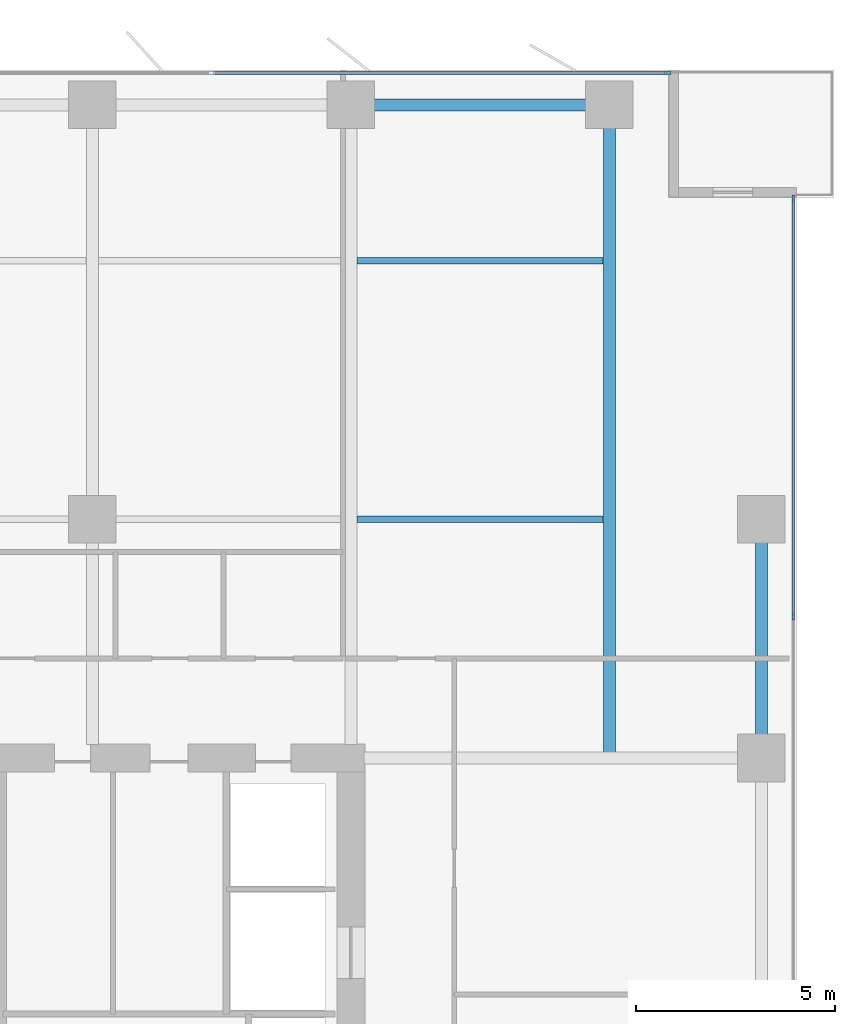
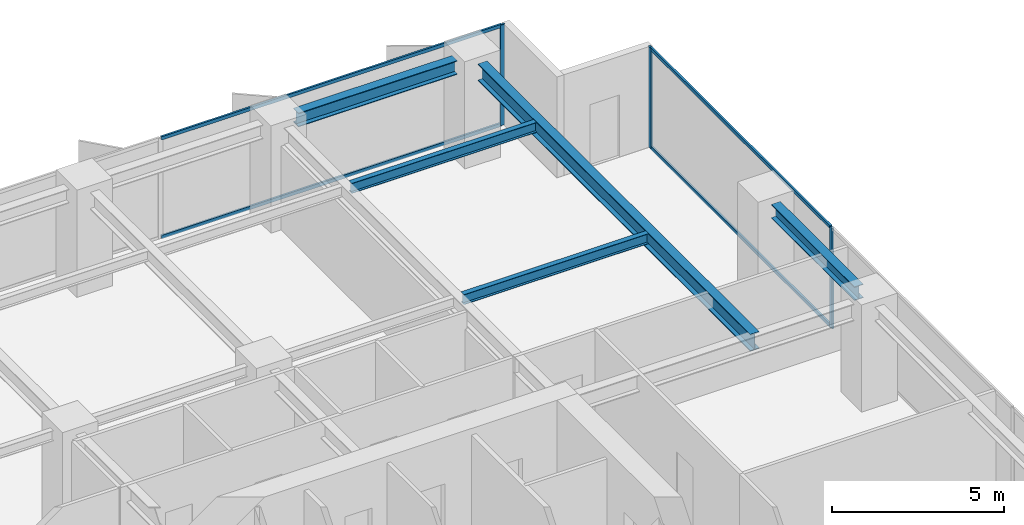
# One storey, part 11 of 20: 7 members, 5 beams, 2 elements without a shape of their own.
"""IFC4 building model written with IfcOpenShell, lengths in metres."""

from ifc_helpers import new_model, si_unit, direction, frame, origin, origin_2d, place, context, subcontext, project, spatial, rectangle, i_section, extrude, material, layer, layer_set, material_profile, profile_set, type_object, element, aggregate, save


model = new_model("IFC4")

# Units and contexts
model_context = context("Model", 3, precision=1e-05, world=origin(), true_north=direction((0.0, 1.0)))
body_context = subcontext(model_context, "Body", "Model", "MODEL_VIEW")
ifc_project = project(units=[si_unit("LENGTHUNIT", "METRE"), si_unit("AREAUNIT", "SQUARE_METRE"), si_unit("VOLUMEUNIT", "CUBIC_METRE"), si_unit("PLANEANGLEUNIT", "RADIAN"), si_unit("MASSUNIT", "GRAM", prefix="KILO")], contexts=[model_context])

# Site, building, storey
site_placement = place(None, origin())
site = spatial("IfcSite", under=ifc_project, at=site_placement, CompositionType="ELEMENT")
building_placement = place(site_placement, origin())
building = spatial("IfcBuilding", under=site, at=building_placement, Name="Putna Gate Headquarters", CompositionType="ELEMENT")
storey_placement = place(building_placement, frame((0.0, 0.0, 127.800048828125)))
storey = spatial("IfcBuildingStorey", under=building, at=storey_placement, Name="L31", CompositionType="ELEMENT", Elevation=127.800048828125)

# Beams
ifc_material_1 = material(Name="Steel S355J2", Category="steel")
ifc_material_profile_1 = material_profile(ifc_material_1, i_section(OverallWidth=0.300048828125, OverallDepth=0.60009765625, WebThickness=0.015380859375, FlangeThickness=0.030029296875, at=origin_2d()), Name="Steel S355J2")
ifc_profile_set_1 = profile_set([ifc_material_profile_1], Name="Steel S355J2")
beam_type_1 = type_object("IfcBeamType", Name="BM-GIRD-Z2-HEB600", PredefinedType="USERDEFINED", material=ifc_profile_set_1)
beam_1_placement = place(storey_placement, frame((71.5, 33.011962890625, 3.264892578125), z_axis=(0.0, 1.0, 0.0), x_axis=(-1.0, 0.0, 0.0)))
element("IfcBeam", 1, at=beam_1_placement, inside=storey, type_object=beam_type_1, Name="L31 North Primary Girder X71", ObjectType="GIRDER", PredefinedType="USERDEFINED", context=body_context, shape_type="SweptSolid", body=[
    extrude(i_section(OverallWidth=0.300048828125, OverallDepth=0.60009765625, WebThickness=0.015380859375, FlangeThickness=0.030029296875, at=origin_2d()), origin(), (0.0, 0.0, 1.0), 15.820068359375),
])
ifc_material_profile_2 = material_profile(ifc_material_1, i_section(OverallWidth=0.169921875, OverallDepth=0.360107421875, WebThickness=0.008056640625, FlangeThickness=0.0126953125, at=origin_2d()), Name="Steel S355J2")
ifc_profile_set_2 = profile_set([ifc_material_profile_2], Name="Steel S355J2")
beam_type_2 = type_object("IfcBeamType", Name="BM-SEC-Z2-IPE360", PredefinedType="BEAM", material=ifc_profile_set_2)
for number, where, z_axis, x_axis, name in (
    (2, (65.154052734375, 39.0, 3.385009765625), (1.0, 0.0, 0.0), (0.0, 1.0, 0.0), "L31 North Secondary Beam 10"),
    (3, (65.154052734375, 45.5, 3.385009765625), (1.0, 0.0, 0.0), (0.0, 1.0, 0.0), "L31 North Secondary Beam 10"),
):
    element("IfcBeam", number, at=place(storey_placement, frame(where, z_axis=z_axis, x_axis=x_axis)), inside=storey, type_object=beam_type_2, Name=name, PredefinedType="BEAM", context=body_context, shape_type="SweptSolid", body=[
        extrude(i_section(OverallWidth=0.169921875, OverallDepth=0.360107421875, WebThickness=0.008056640625, FlangeThickness=0.0126953125, at=origin_2d()), origin(), (0.0, 0.0, 1.0), 6.19189453125),
    ])
ifc_material_profile_3 = material_profile(ifc_material_1, i_section(OverallWidth=0.300048828125, OverallDepth=0.489990234375, WebThickness=0.011962890625, FlangeThickness=0.02294921875, at=origin_2d()), Name="Steel S355J2")
ifc_profile_set_3 = profile_set([ifc_material_profile_3], Name="Steel S355J2")
beam_type_3 = type_object("IfcBeamType", Name="BM-SPAN-Z2-HEA500", PredefinedType="SPANDREL", material=ifc_profile_set_3)
beam_2_placement = place(storey_placement, frame((65.587890625, 49.419921875, 3.320068359375), z_axis=(1.0, 0.0, 0.0), x_axis=(0.0, 1.0, 0.0)))
element("IfcBeam", 4, at=beam_2_placement, inside=storey, type_object=beam_type_3, Name="L31 N Perimeter Spandrel 10", PredefinedType="SPANDREL", context=body_context, shape_type="SweptSolid", body=[
    extrude(i_section(OverallWidth=0.300048828125, OverallDepth=0.489990234375, WebThickness=0.011962890625, FlangeThickness=0.02294921875, at=origin_2d()), origin(), (0.0, 0.0, 1.0), 5.32421875),
])
beam_3_placement = place(storey_placement, frame((75.320068359375, 33.587890625, 3.320068359375), z_axis=(0.0, 1.0, 0.0), x_axis=(-1.0, 0.0, 0.0)))
element("IfcBeam", 5, at=beam_3_placement, inside=storey, type_object=beam_type_3, Name="L31 E End Spandrel 3", PredefinedType="SPANDREL", context=body_context, shape_type="SweptSolid", body=[
    extrude(i_section(OverallWidth=0.300048828125, OverallDepth=0.489990234375, WebThickness=0.011962890625, FlangeThickness=0.02294921875, at=origin_2d()), origin(), (0.0, 0.0, 1.0), 4.82421875),
])

# Curtain wall, member
ifc_material_2 = material(Name="Anodised bronze aluminium curtain wall", Category="aluminium")
ifc_layer = layer(ifc_material_2, 0.159912109375)
ifc_layer_set = layer_set([ifc_layer], Name="Anodised bronze aluminium curtain wall")
curtain_wall_type = type_object("IfcCurtainWallType", Name="CW-SYS-Z2", PredefinedType="USERDEFINED", material=ifc_layer_set)
curtain_wall_1_placement = place(storey_placement, origin())
curtain_wall_1 = element("IfcCurtainWall", 6, at=curtain_wall_1_placement, inside=storey, type_object=curtain_wall_type, Name="L31 North East Curtain Wall", ObjectType="STICK CURTAIN WALL", PredefinedType="USERDEFINED")
ifc_material_3 = material(Name="Anodised bronze aluminium EN AW-6060", Category="aluminium")
ifc_material_profile_4 = material_profile(ifc_material_3, rectangle(XDim=0.06494140625, YDim=0.159912109375, at=origin_2d()), Name="Anodised bronze aluminium EN AW-6060")
ifc_profile_set_4 = profile_set([ifc_material_profile_4], Name="Anodised bronze aluminium EN AW-6060")
member_type_1 = type_object("IfcMemberType", Name="MULL-CWM-2", PredefinedType="MULLION", material=ifc_profile_set_4)
member_1_placement = place(storey_placement, frame((72.967529296875, 50.219970703125, 0.0), z_axis=(0.0, 0.0, 1.0), x_axis=(0.0, 1.0, 0.0)))
member_1 = element("IfcMember", 7, at=member_1_placement, type_object=member_type_1, Name="CWS-2 mullion 3", PredefinedType="MULLION", context=body_context, shape_type="SweptSolid", body=[
    extrude(rectangle(XDim=0.06494140625, YDim=0.159912109375, at=origin_2d()), origin(), (0.0, 0.0, 1.0), 3.56494140625),
])

# Curtain wall, members
curtain_wall_2_placement = place(storey_placement, origin())
curtain_wall_2 = element("IfcCurtainWall", 8, at=curtain_wall_2_placement, inside=storey, type_object=curtain_wall_type, Name="L31 East Curtain Wall", ObjectType="STICK CURTAIN WALL", PredefinedType="USERDEFINED")
member_2_placement = place(storey_placement, frame((76.1201171875, 36.550048828125, 0.0), z_axis=(0.0, 0.0, 1.0), x_axis=(-1.0, 0.0, 0.0)))
member_2 = element("IfcMember", 9, at=member_2_placement, type_object=member_type_1, Name="CWS-2 mullion 4", PredefinedType="MULLION", context=body_context, shape_type="SweptSolid", body=[
    extrude(rectangle(XDim=0.06494140625, YDim=0.159912109375, at=origin_2d()), origin(), (0.0, 0.0, 1.0), 3.56494140625),
])
member_3_placement = place(storey_placement, frame((76.1201171875, 47.0673828125, 0.0), z_axis=(0.0, 0.0, 1.0), x_axis=(-1.0, 0.0, 0.0)))
member_3 = element("IfcMember", 10, at=member_3_placement, type_object=member_type_1, Name="CWS-2 mullion 5", PredefinedType="MULLION", context=body_context, shape_type="SweptSolid", body=[
    extrude(rectangle(XDim=0.06494140625, YDim=0.159912109375, at=origin_2d()), origin(), (0.0, 0.0, 1.0), 3.56494140625),
])

# Member
ifc_material_profile_5 = material_profile(ifc_material_3, rectangle(XDim=0.06494140625, YDim=0.1201171875, at=origin_2d()), Name="Anodised bronze aluminium EN AW-6060")
ifc_profile_set_5 = profile_set([ifc_material_profile_5], Name="Anodised bronze aluminium EN AW-6060")
member_type_2 = type_object("IfcMemberType", Name="TRAN-CWT-2", PredefinedType="USERDEFINED", material=ifc_profile_set_5)
member_4_placement = place(storey_placement, frame((61.532470703125, 50.219970703125, 0.032470703125), z_axis=(1.0, 0.0, 0.0), x_axis=(0.0, 1.0, 0.0)))
member_4 = element("IfcMember", 11, at=member_4_placement, type_object=member_type_2, Name="CWS-2 transom 2.1", ObjectType="TRANSOM", PredefinedType="USERDEFINED", context=body_context, shape_type="SweptSolid", body=[
    extrude(rectangle(XDim=0.06494140625, YDim=0.1201171875, at=origin_2d()), origin(), (0.0, 0.0, 1.0), 11.402587890625),
])

member_5_placement = place(storey_placement, frame((61.532470703125, 50.219970703125, 3.532470703125), z_axis=(1.0, 0.0, 0.0), x_axis=(0.0, 1.0, 0.0)))
member_5 = element("IfcMember", 12, at=member_5_placement, type_object=member_type_2, Name="CWS-2 transom 2.2", ObjectType="TRANSOM", PredefinedType="USERDEFINED", context=body_context, shape_type="SweptSolid", body=[
    extrude(rectangle(XDim=0.06494140625, YDim=0.1201171875, at=origin_2d()), origin(), (0.0, 0.0, 1.0), 11.402587890625),
])

aggregate(curtain_wall_1, [member_1, member_4, member_5])

member_6_placement = place(storey_placement, frame((76.1201171875, 36.58251953125, 0.032470703125), z_axis=(0.0, 1.0, 0.0), x_axis=(-1.0, 0.0, 0.0)))
member_6 = element("IfcMember", 13, at=member_6_placement, type_object=member_type_2, Name="CWS-2 transom 4.1", ObjectType="TRANSOM", PredefinedType="USERDEFINED", context=body_context, shape_type="SweptSolid", body=[
    extrude(rectangle(XDim=0.06494140625, YDim=0.1201171875, at=origin_2d()), origin(), (0.0, 0.0, 1.0), 10.452392578125),
])

member_7_placement = place(storey_placement, frame((76.1201171875, 36.58251953125, 3.532470703125), z_axis=(0.0, 1.0, 0.0), x_axis=(-1.0, 0.0, 0.0)))
member_7 = element("IfcMember", 14, at=member_7_placement, type_object=member_type_2, Name="CWS-2 transom 4.2", ObjectType="TRANSOM", PredefinedType="USERDEFINED", context=body_context, shape_type="SweptSolid", body=[
    extrude(rectangle(XDim=0.06494140625, YDim=0.1201171875, at=origin_2d()), origin(), (0.0, 0.0, 1.0), 10.452392578125),
])

aggregate(curtain_wall_2, [member_2, member_3, member_6, member_7])

save(model, "model.ifc")
